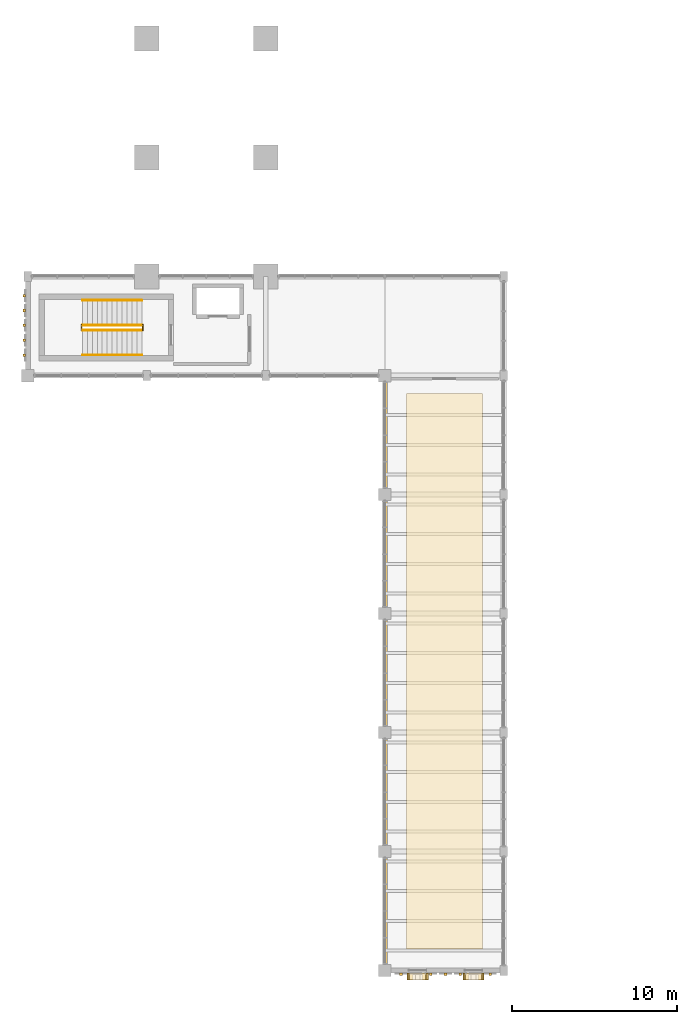
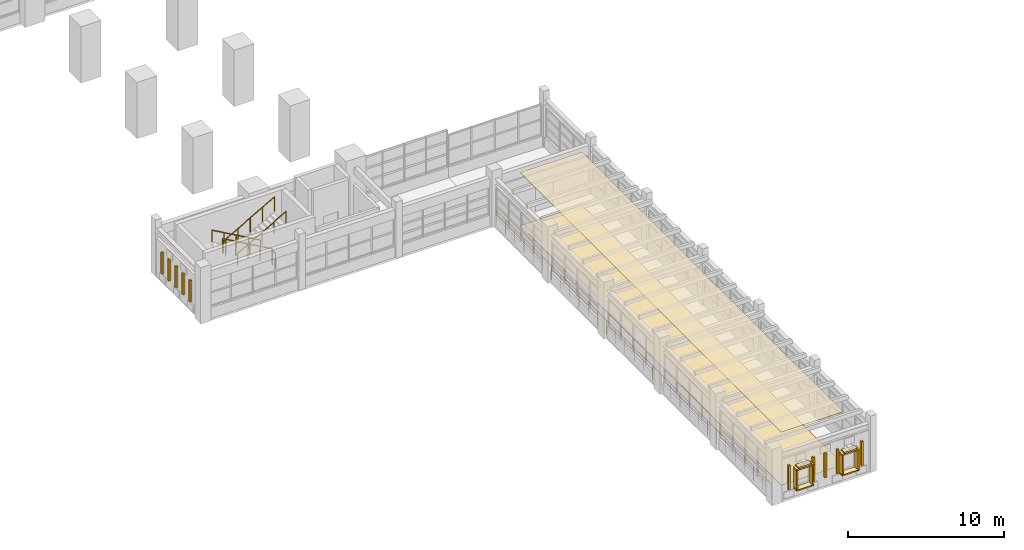
# One storey, part 53 of 69: 22 coverings, 7 railings.
"""IFC4 building model written with IfcOpenShell, lengths in metres."""

from ifc_helpers import new_model, si_unit, direction, frame, origin, origin_2d, place, context, subcontext, project, spatial, polyline, rectangle, circle, outline, extrude, material, layer, layer_set, type_object, element, save


model = new_model("IFC4")

# Units and contexts
model_context = context("Model", 3, precision=1e-05, world=origin(), true_north=direction((0.0, 1.0)))
body_context = subcontext(model_context, "Body", "Model", "MODEL_VIEW")
ifc_project = project(units=[si_unit("LENGTHUNIT", "METRE"), si_unit("AREAUNIT", "SQUARE_METRE"), si_unit("VOLUMEUNIT", "CUBIC_METRE"), si_unit("PLANEANGLEUNIT", "RADIAN"), si_unit("MASSUNIT", "GRAM", prefix="KILO")], contexts=[model_context])

# Site, building, storey
site_placement = place(None, origin())
site = spatial("IfcSite", under=ifc_project, at=site_placement, CompositionType="ELEMENT")
building_placement = place(site_placement, origin())
building = spatial("IfcBuilding", under=site, at=building_placement, Name="Nzembalo Square Collegiate School", CompositionType="ELEMENT")
storey_placement = place(building_placement, frame((0.0, 0.0, 5.10009765625)))
storey = spatial("IfcBuildingStorey", under=building, at=storey_placement, Name="L01", CompositionType="ELEMENT", Elevation=5.10009765625)

# Coverings
ifc_material_1 = material(Name="Perforated acoustic mineral-fibre ceiling")
ifc_layer_1 = layer(ifc_material_1, 0.02490234375, Name="Perforated acoustic mineral-fibre ceiling")
ifc_layer_set_1 = layer_set([ifc_layer_1], Name="Perforated acoustic mineral-fibre ceiling")
covering_type_1 = type_object("IfcCoveringType", Name="CE01", PredefinedType="CEILING", material=ifc_layer_set_1)
covering_1_placement = place(storey_placement, frame((0.0, 0.0, 4.164794921875)))
element("IfcCovering", 1, at=covering_1_placement, inside=storey, type_object=covering_type_1, Name="Acoustic ceiling panel CE01-16", PredefinedType="CEILING", context=body_context, shape_type="SweptSolid", body=[
    extrude(outline(polyline([(31.300048828125, 9.699951171875), (35.89990234375, 9.699951171875), (35.89990234375, 43.300048828125), (31.300048828125, 43.300048828125), (31.300048828125, 9.699951171875)])), origin(), (0.0, 0.0, 1.0), 0.025146484375),
])
ifc_material_2 = material(Name="Glazed ochre ceramic lancet rib")
ifc_layer_2 = layer(ifc_material_2, 0.159912109375, Name="Glazed ochre ceramic lancet rib")
ifc_layer_set_2 = layer_set([ifc_layer_2], Name="Glazed ochre ceramic lancet rib")
covering_type_2 = type_object("IfcCoveringType", Name="CL02", PredefinedType="CLADDING", material=ifc_layer_set_2)
for number, where, z_axis, x_axis, name in (
    (2, (8.179931640625, 45.637451171875, 0.759765625), (0.0, 0.0, 1.0), (1.0, 0.0, 0.0), "Gothic ceramic rib CL02-Y0097-0"),
    (3, (8.179931640625, 46.53759765625, 0.759765625), (0.0, 0.0, 1.0), (1.0, 0.0, 0.0), "Gothic ceramic rib CL02-Y0097-1"),
    (4, (8.179931640625, 47.4375, 0.759765625), (0.0, 0.0, 1.0), (1.0, 0.0, 0.0), "Gothic ceramic rib CL02-Y0097-2"),
    (5, (8.179931640625, 48.33740234375, 0.759765625), (0.0, 0.0, 1.0), (1.0, 0.0, 0.0), "Gothic ceramic rib CL02-Y0097-3"),
    (6, (8.179931640625, 49.237548828125, 0.759765625), (0.0, 0.0, 1.0), (1.0, 0.0, 0.0), "Gothic ceramic rib CL02-Y0097-4"),
):
    element("IfcCovering", number, at=place(storey_placement, frame(where, z_axis=z_axis, x_axis=x_axis)), inside=storey, type_object=covering_type_2, Name=name, PredefinedType="CLADDING", context=body_context, shape_type="SweptSolid", body=[
        extrude(rectangle(XDim=0.159912109375, YDim=0.159912109375, at=origin_2d()), origin(), (0.0, 0.0, 1.0), 1.674072265625),
    ])
for number, where, z_axis, x_axis, name in (
    (7, (30.97509765625, 8.169921875, 0.759765625), (0.0, 0.0, 1.0), (1.0, 0.0, 0.0), "Gothic ceramic rib CL02-X0098-0"),
    (8, (32.77490234375, 8.169921875, 0.759765625), (0.0, 0.0, 1.0), (1.0, 0.0, 0.0), "Gothic ceramic rib CL02-X0098-2"),
    (9, (33.675048828125, 8.169921875, 0.759765625), (0.0, 0.0, 1.0), (1.0, 0.0, 0.0), "Gothic ceramic rib CL02-X0098-3"),
    (10, (34.574951171875, 8.169921875, 0.759765625), (0.0, 0.0, 1.0), (1.0, 0.0, 0.0), "Gothic ceramic rib CL02-X0098-4"),
    (11, (36.375, 8.169921875, 0.759765625), (0.0, 0.0, 1.0), (1.0, 0.0, 0.0), "Gothic ceramic rib CL02-X0098-6"),
):
    element("IfcCovering", number, at=place(storey_placement, frame(where, z_axis=z_axis, x_axis=x_axis)), inside=storey, type_object=covering_type_2, Name=name, PredefinedType="CLADDING", context=body_context, shape_type="SweptSolid", body=[
        extrude(rectangle(XDim=0.159912109375, YDim=0.159912109375, at=origin_2d()), origin(), (0.0, 0.0, 1.0), 1.89404296875),
    ])
ifc_material_3 = material(Name="Polished stone terrazzo flooring", Category="masonry")
ifc_layer_3 = layer(ifc_material_3, 0.02001953125, Name="Polished stone terrazzo flooring")
ifc_layer_set_3 = layer_set([ifc_layer_3], Name="Polished stone terrazzo flooring")
covering_type_3 = type_object("IfcCoveringType", Name="FL01", PredefinedType="FLOORING", material=ifc_layer_set_3)
covering_2_placement = place(storey_placement, origin())
element("IfcCovering", 12, at=covering_2_placement, inside=storey, type_object=covering_type_3, Name="Terrazzo finish flooring FL01-16", PredefinedType="FLOORING", context=body_context, shape_type="SweptSolid", body=[
    extrude(outline(polyline([(31.300048828125, 9.699951171875), (35.89990234375, 9.699951171875), (35.89990234375, 43.300048828125), (31.300048828125, 43.300048828125), (31.300048828125, 9.699951171875)])), origin(), (0.0, 0.0, 1.0), 0.02001953125),
])
ifc_material_4 = material(Name="Glazed celadon ceramic window frame")
ifc_layer_4 = layer(ifc_material_4, 0.419921875, Name="Glazed celadon ceramic window frame")
ifc_layer_set_4 = layer_set([ifc_layer_4], Name="Glazed celadon ceramic window frame")
covering_type_4 = type_object("IfcCoveringType", Name="WF01", PredefinedType="CLADDING", material=ifc_layer_set_4)
covering_3_placement = place(storey_placement, frame((31.9833984375, 8.034912109375, 2.2548828125), z_axis=(0.0, 0.0, 1.0), x_axis=(1.0, 0.0, 0.0)))
element("IfcCovering", 13, at=covering_3_placement, inside=storey, type_object=covering_type_4, Name="Deep lancet window hood WF01-0162", PredefinedType="CLADDING", context=body_context, shape_type="SweptSolid", body=[
    extrude(rectangle(XDim=1.2900390625, YDim=0.419921875, at=origin_2d()), origin(), (0.0, 0.0, 1.0), 0.110107421875),
])
covering_4_placement = place(storey_placement, frame((31.9833984375, 8.034912109375, 2.35986328125), z_axis=(0.0, 0.0, 1.0), x_axis=(1.0, 0.0, 0.0)))
element("IfcCovering", 14, at=covering_4_placement, inside=storey, type_object=covering_type_4, Name="Pointed lancet gable WF01-0162-1", PredefinedType="CLADDING", context=body_context, shape_type="SweptSolid", body=[
    extrude(rectangle(XDim=0.949951171875, YDim=0.419921875, at=origin_2d()), origin(), (0.0, 0.0, 1.0), 0.1201171875),
])
covering_5_placement = place(storey_placement, frame((31.9833984375, 8.034912109375, 0.65478515625), z_axis=(0.0, 0.0, 1.0), x_axis=(1.0, 0.0, 0.0)))
element("IfcCovering", 15, at=covering_5_placement, inside=storey, type_object=covering_type_4, Name="Deep lancet window sill WF01-0162", PredefinedType="CLADDING", context=body_context, shape_type="SweptSolid", body=[
    extrude(rectangle(XDim=1.2900390625, YDim=0.419921875, at=origin_2d()), origin(), (0.0, 0.0, 1.0), 0.090087890625),
])
for number, where, z_axis, x_axis, name in (
    (16, (31.403564453125, 8.034912109375, 0.75), (0.0, 0.0, 1.0), (1.0, 0.0, 0.0), "Deep lancet window jamb WF01-0162L"),
    (17, (32.5634765625, 8.034912109375, 0.75), (0.0, 0.0, 1.0), (1.0, 0.0, 0.0), "Deep lancet window jamb WF01-0162R"),
):
    element("IfcCovering", number, at=place(storey_placement, frame(where, z_axis=z_axis, x_axis=x_axis)), inside=storey, type_object=covering_type_4, Name=name, PredefinedType="CLADDING", context=body_context, shape_type="SweptSolid", body=[
        extrude(rectangle(XDim=0.10009765625, YDim=0.419921875, at=origin_2d()), origin(), (0.0, 0.0, 1.0), 1.5),
    ])
covering_6_placement = place(storey_placement, frame((35.366455078125, 8.034912109375, 2.2548828125), z_axis=(0.0, 0.0, 1.0), x_axis=(1.0, 0.0, 0.0)))
element("IfcCovering", 18, at=covering_6_placement, inside=storey, type_object=covering_type_4, Name="Deep lancet window hood WF01-0163", PredefinedType="CLADDING", context=body_context, shape_type="SweptSolid", body=[
    extrude(rectangle(XDim=1.2900390625, YDim=0.419921875, at=origin_2d()), origin(), (0.0, 0.0, 1.0), 0.110107421875),
])
covering_7_placement = place(storey_placement, frame((35.366455078125, 8.034912109375, 2.35986328125), z_axis=(0.0, 0.0, 1.0), x_axis=(1.0, 0.0, 0.0)))
element("IfcCovering", 19, at=covering_7_placement, inside=storey, type_object=covering_type_4, Name="Pointed lancet gable WF01-0163-1", PredefinedType="CLADDING", context=body_context, shape_type="SweptSolid", body=[
    extrude(rectangle(XDim=0.949951171875, YDim=0.419921875, at=origin_2d()), origin(), (0.0, 0.0, 1.0), 0.1201171875),
])
covering_8_placement = place(storey_placement, frame((35.366455078125, 8.034912109375, 0.65478515625), z_axis=(0.0, 0.0, 1.0), x_axis=(1.0, 0.0, 0.0)))
element("IfcCovering", 20, at=covering_8_placement, inside=storey, type_object=covering_type_4, Name="Deep lancet window sill WF01-0163", PredefinedType="CLADDING", context=body_context, shape_type="SweptSolid", body=[
    extrude(rectangle(XDim=1.2900390625, YDim=0.419921875, at=origin_2d()), origin(), (0.0, 0.0, 1.0), 0.090087890625),
])
for number, where, z_axis, x_axis, name in (
    (21, (34.78662109375, 8.034912109375, 0.75), (0.0, 0.0, 1.0), (1.0, 0.0, 0.0), "Deep lancet window jamb WF01-0163L"),
    (22, (35.946533203125, 8.034912109375, 0.75), (0.0, 0.0, 1.0), (1.0, 0.0, 0.0), "Deep lancet window jamb WF01-0163R"),
):
    element("IfcCovering", number, at=place(storey_placement, frame(where, z_axis=z_axis, x_axis=x_axis)), inside=storey, type_object=covering_type_4, Name=name, PredefinedType="CLADDING", context=body_context, shape_type="SweptSolid", body=[
        extrude(rectangle(XDim=0.10009765625, YDim=0.419921875, at=origin_2d()), origin(), (0.0, 0.0, 1.0), 1.5),
    ])

# Railings
ifc_material_5 = material(Name="Steel S355", Category="steel")
railing_type_1 = type_object("IfcRailingType", Name="BL01", PredefinedType="BALUSTRADE", material=ifc_material_5)
railing_1_placement = place(storey_placement, frame((30.02001953125, 8.719970703125, 0.0)))
element("IfcRailing", 23, at=railing_1_placement, inside=storey, type_object=railing_type_1, Name="Terrace balustrade BL-03A", PredefinedType="BALUSTRADE", context=body_context, shape_type="SweptSolid", body=[
    extrude(circle(Radius=0.02392578125, at=origin_2d()), frame((0.0, 0.0, 1.1259765625), z_axis=(0.0, 1.0, 0.0), x_axis=(-1.0, 0.0, 0.0)), (0.0, 0.0, 1.0), 35.400146484375),
    extrude(circle(Radius=0.02099609375, at=origin_2d()), origin(), (0.0, 0.0, 1.0), 1.101806640625),
    extrude(circle(Radius=0.02099609375, at=origin_2d()), frame((0.0, 1.179931640625, 0.0)), (0.0, 0.0, 1.0), 1.101806640625),
    extrude(circle(Radius=0.02099609375, at=origin_2d()), frame((0.0, 2.360107421875, 0.0)), (0.0, 0.0, 1.0), 1.101806640625),
    extrude(circle(Radius=0.02099609375, at=origin_2d()), frame((0.0, 3.5400390625, 0.0)), (0.0, 0.0, 1.0), 1.101806640625),
    extrude(circle(Radius=0.02099609375, at=origin_2d()), frame((0.0, 4.719970703125, 0.0)), (0.0, 0.0, 1.0), 1.101806640625),
    extrude(circle(Radius=0.02099609375, at=origin_2d()), frame((0.0, 5.89990234375, 0.0)), (0.0, 0.0, 1.0), 1.101806640625),
    extrude(circle(Radius=0.02099609375, at=origin_2d()), frame((0.0, 7.080078125, 0.0)), (0.0, 0.0, 1.0), 1.101806640625),
    extrude(circle(Radius=0.02099609375, at=origin_2d()), frame((0.0, 8.260009765625, 0.0)), (0.0, 0.0, 1.0), 1.101806640625),
    extrude(circle(Radius=0.02099609375, at=origin_2d()), frame((0.0, 9.43994140625, 0.0)), (0.0, 0.0, 1.0), 1.101806640625),
    extrude(circle(Radius=0.02099609375, at=origin_2d()), frame((0.0, 10.6201171875, 0.0)), (0.0, 0.0, 1.0), 1.101806640625),
    extrude(circle(Radius=0.02099609375, at=origin_2d()), frame((0.0, 11.800048828125, 0.0)), (0.0, 0.0, 1.0), 1.101806640625),
    extrude(circle(Radius=0.02099609375, at=origin_2d()), frame((0.0, 12.97998046875, 0.0)), (0.0, 0.0, 1.0), 1.101806640625),
    extrude(circle(Radius=0.02099609375, at=origin_2d()), frame((0.0, 14.16015625, 0.0)), (0.0, 0.0, 1.0), 1.101806640625),
    extrude(circle(Radius=0.02099609375, at=origin_2d()), frame((0.0, 15.340087890625, 0.0)), (0.0, 0.0, 1.0), 1.101806640625),
    extrude(circle(Radius=0.02099609375, at=origin_2d()), frame((0.0, 16.52001953125, 0.0)), (0.0, 0.0, 1.0), 1.101806640625),
    extrude(circle(Radius=0.02099609375, at=origin_2d()), frame((0.0, 17.7001953125, 0.0)), (0.0, 0.0, 1.0), 1.101806640625),
    extrude(circle(Radius=0.02099609375, at=origin_2d()), frame((0.0, 18.880126953125, 0.0)), (0.0, 0.0, 1.0), 1.101806640625),
    extrude(circle(Radius=0.02099609375, at=origin_2d()), frame((0.0, 20.06005859375, 0.0)), (0.0, 0.0, 1.0), 1.101806640625),
    extrude(circle(Radius=0.02099609375, at=origin_2d()), frame((0.0, 21.239990234375, 0.0)), (0.0, 0.0, 1.0), 1.101806640625),
    extrude(circle(Radius=0.02099609375, at=origin_2d()), frame((0.0, 22.420166015625, 0.0)), (0.0, 0.0, 1.0), 1.101806640625),
    extrude(circle(Radius=0.02099609375, at=origin_2d()), frame((0.0, 23.60009765625, 0.0)), (0.0, 0.0, 1.0), 1.101806640625),
    extrude(circle(Radius=0.02099609375, at=origin_2d()), frame((0.0, 24.780029296875, 0.0)), (0.0, 0.0, 1.0), 1.101806640625),
    extrude(circle(Radius=0.02099609375, at=origin_2d()), frame((0.0, 25.960205078125, 0.0)), (0.0, 0.0, 1.0), 1.101806640625),
    extrude(circle(Radius=0.02099609375, at=origin_2d()), frame((0.0, 27.14013671875, 0.0)), (0.0, 0.0, 1.0), 1.101806640625),
    extrude(circle(Radius=0.02099609375, at=origin_2d()), frame((0.0, 28.320068359375, 0.0)), (0.0, 0.0, 1.0), 1.101806640625),
    extrude(circle(Radius=0.02099609375, at=origin_2d()), frame((0.0, 29.5, 0.0)), (0.0, 0.0, 1.0), 1.101806640625),
    extrude(circle(Radius=0.02099609375, at=origin_2d()), frame((0.0, 30.68017578125, 0.0)), (0.0, 0.0, 1.0), 1.101806640625),
    extrude(circle(Radius=0.02099609375, at=origin_2d()), frame((0.0, 31.860107421875, 0.0)), (0.0, 0.0, 1.0), 1.101806640625),
    extrude(circle(Radius=0.02099609375, at=origin_2d()), frame((0.0, 33.0400390625, 0.0)), (0.0, 0.0, 1.0), 1.101806640625),
    extrude(circle(Radius=0.02099609375, at=origin_2d()), frame((0.0, 34.22021484375, 0.0)), (0.0, 0.0, 1.0), 1.101806640625),
    extrude(circle(Radius=0.02099609375, at=origin_2d()), frame((0.0, 35.400146484375, 0.0)), (0.0, 0.0, 1.0), 1.101806640625),
])
ifc_material_6 = material(Name="Steel S355", Category="steel")
railing_type_2 = type_object("IfcRailingType", Name="GR01", PredefinedType="GUARDRAIL", material=ifc_material_6)
railing_2_placement = place(storey_placement, frame((15.300048828125, 47.449951171875, 0.159912109375)))
element("IfcRailing", 24, at=railing_2_placement, inside=storey, type_object=railing_type_2, Name="Stair guard GR-03-1", PredefinedType="GUARDRAIL", context=body_context, shape_type="SweptSolid", body=[
    extrude(circle(Radius=0.02392578125, at=origin_2d()), frame((0.0, 0.0, 1.1259765625), z_axis=(-0.870023872995, 0.0, 0.493009594652), x_axis=(0.0, -1.0, 0.0)), (0.0, 0.0, 1.0), 4.137939453125),
    extrude(circle(Radius=0.02099609375, at=origin_2d()), origin(), (0.0, 0.0, 1.0), 1.101806640625),
    extrude(circle(Radius=0.02099609375, at=origin_2d()), frame((-0.89990234375, 0.0, 0.510009765625)), (0.0, 0.0, 1.0), 1.101806640625),
    extrude(circle(Radius=0.02099609375, at=origin_2d()), frame((-1.800048828125, 0.0, 1.02001953125)), (0.0, 0.0, 1.0), 1.101806640625),
    extrude(circle(Radius=0.02099609375, at=origin_2d()), frame((-2.7001953125, 0.0, 1.530029296875)), (0.0, 0.0, 1.0), 1.101806640625),
    extrude(circle(Radius=0.02099609375, at=origin_2d()), frame((-3.60009765625, 0.0, 2.0400390625)), (0.0, 0.0, 1.0), 1.101806640625),
])
railing_3_placement = place(storey_placement, frame((11.64990234375, 47.1201171875, 2.204833984375)))
element("IfcRailing", 25, at=railing_3_placement, inside=storey, type_object=railing_type_2, Name="Stair guard GR-03-2", PredefinedType="GUARDRAIL", context=body_context, shape_type="SweptSolid", body=[
    extrude(circle(Radius=0.02392578125, at=origin_2d()), frame((0.0, 0.0, 1.1259765625), z_axis=(0.0, 1.0, 0.0), x_axis=(-1.0, 0.0, 0.0)), (0.0, 0.0, 1.0), 0.35986328125),
    extrude(circle(Radius=0.02099609375, at=origin_2d()), origin(), (0.0, 0.0, 1.0), 1.101806640625),
    extrude(circle(Radius=0.02099609375, at=origin_2d()), frame((0.0, 0.35986328125, 0.0)), (0.0, 0.0, 1.0), 1.101806640625),
])
railing_4_placement = place(storey_placement, frame((11.699951171875, 47.14990234375, 2.369873046875)))
element("IfcRailing", 26, at=railing_4_placement, inside=storey, type_object=railing_type_2, Name="Stair guard GR-03-3", PredefinedType="GUARDRAIL", context=body_context, shape_type="SweptSolid", body=[
    extrude(circle(Radius=0.02392578125, at=origin_2d()), frame((0.0, 0.0, 1.1259765625), z_axis=(0.870023872995, 0.0, 0.493009594652), x_axis=(0.0, 1.0, 0.0)), (0.0, 0.0, 1.0), 4.137939453125),
    extrude(circle(Radius=0.02099609375, at=origin_2d()), origin(), (0.0, 0.0, 1.0), 1.101806640625),
    extrude(circle(Radius=0.02099609375, at=origin_2d()), frame((0.89990234375, 0.0, 0.510009765625)), (0.0, 0.0, 1.0), 1.101806640625),
    extrude(circle(Radius=0.02099609375, at=origin_2d()), frame((1.800048828125, 0.0, 1.02001953125)), (0.0, 0.0, 1.0), 1.101806640625),
    extrude(circle(Radius=0.02099609375, at=origin_2d()), frame((2.7001953125, 0.0, 1.530029296875)), (0.0, 0.0, 1.0), 1.101806640625),
    extrude(circle(Radius=0.02099609375, at=origin_2d()), frame((3.60009765625, 0.0, 2.0400390625)), (0.0, 0.0, 1.0), 1.101806640625),
])
railing_5_placement = place(storey_placement, frame((15.35009765625, 47.1201171875, -0.005126953125)))
element("IfcRailing", 27, at=railing_5_placement, inside=storey, type_object=railing_type_2, Name="Stair guard GR-03-4", PredefinedType="GUARDRAIL", context=body_context, shape_type="SweptSolid", body=[
    extrude(circle(Radius=0.02392578125, at=origin_2d()), frame((0.0, 0.0, 1.1259765625), z_axis=(0.0, 1.0, 0.0), x_axis=(-1.0, 0.0, 0.0)), (0.0, 0.0, 1.0), 0.35986328125),
    extrude(circle(Radius=0.02099609375, at=origin_2d()), origin(), (0.0, 0.0, 1.0), 1.101806640625),
    extrude(circle(Radius=0.02099609375, at=origin_2d()), frame((0.0, 0.35986328125, 0.0)), (0.0, 0.0, 1.0), 1.101806640625),
])
ifc_material_7 = material(Name="Steel S355", Category="steel")
railing_type_3 = type_object("IfcRailingType", Name="HR01", PredefinedType="HANDRAIL", material=ifc_material_7)
railing_6_placement = place(storey_placement, frame((15.300048828125, 48.949951171875, 0.159912109375)))
element("IfcRailing", 28, at=railing_6_placement, inside=storey, type_object=railing_type_3, Name="Stair handrail HR-03-1", PredefinedType="HANDRAIL", context=body_context, shape_type="SweptSolid", body=[
    extrude(circle(Radius=0.02392578125, at=origin_2d()), frame((0.0, 0.0, 0.89599609375), z_axis=(-0.870023872995, 0.0, 0.493009594652), x_axis=(0.0, -1.0, 0.0)), (0.0, 0.0, 1.0), 4.137939453125),
    extrude(circle(Radius=0.02099609375, at=origin_2d()), origin(), (0.0, 0.0, 1.0), 0.871826171875),
    extrude(circle(Radius=0.02099609375, at=origin_2d()), frame((-0.89990234375, 0.0, 0.510009765625)), (0.0, 0.0, 1.0), 0.871826171875),
    extrude(circle(Radius=0.02099609375, at=origin_2d()), frame((-1.800048828125, 0.0, 1.02001953125)), (0.0, 0.0, 1.0), 0.871826171875),
    extrude(circle(Radius=0.02099609375, at=origin_2d()), frame((-2.7001953125, 0.0, 1.530029296875)), (0.0, 0.0, 1.0), 0.871826171875),
    extrude(circle(Radius=0.02099609375, at=origin_2d()), frame((-3.60009765625, 0.0, 2.0400390625)), (0.0, 0.0, 1.0), 0.871826171875),
])
railing_7_placement = place(storey_placement, frame((11.699951171875, 45.64990234375, 2.369873046875)))
element("IfcRailing", 29, at=railing_7_placement, inside=storey, type_object=railing_type_3, Name="Stair handrail HR-03-2", PredefinedType="HANDRAIL", context=body_context, shape_type="SweptSolid", body=[
    extrude(circle(Radius=0.02392578125, at=origin_2d()), frame((0.0, 0.0, 0.89599609375), z_axis=(0.870023872995, 0.0, 0.493009594652), x_axis=(0.0, 1.0, 0.0)), (0.0, 0.0, 1.0), 4.137939453125),
    extrude(circle(Radius=0.02099609375, at=origin_2d()), origin(), (0.0, 0.0, 1.0), 0.871826171875),
    extrude(circle(Radius=0.02099609375, at=origin_2d()), frame((0.89990234375, 0.0, 0.510009765625)), (0.0, 0.0, 1.0), 0.871826171875),
    extrude(circle(Radius=0.02099609375, at=origin_2d()), frame((1.800048828125, 0.0, 1.02001953125)), (0.0, 0.0, 1.0), 0.871826171875),
    extrude(circle(Radius=0.02099609375, at=origin_2d()), frame((2.7001953125, 0.0, 1.530029296875)), (0.0, 0.0, 1.0), 0.871826171875),
    extrude(circle(Radius=0.02099609375, at=origin_2d()), frame((3.60009765625, 0.0, 2.0400390625)), (0.0, 0.0, 1.0), 0.871826171875),
])

save(model, "model.ifc")
